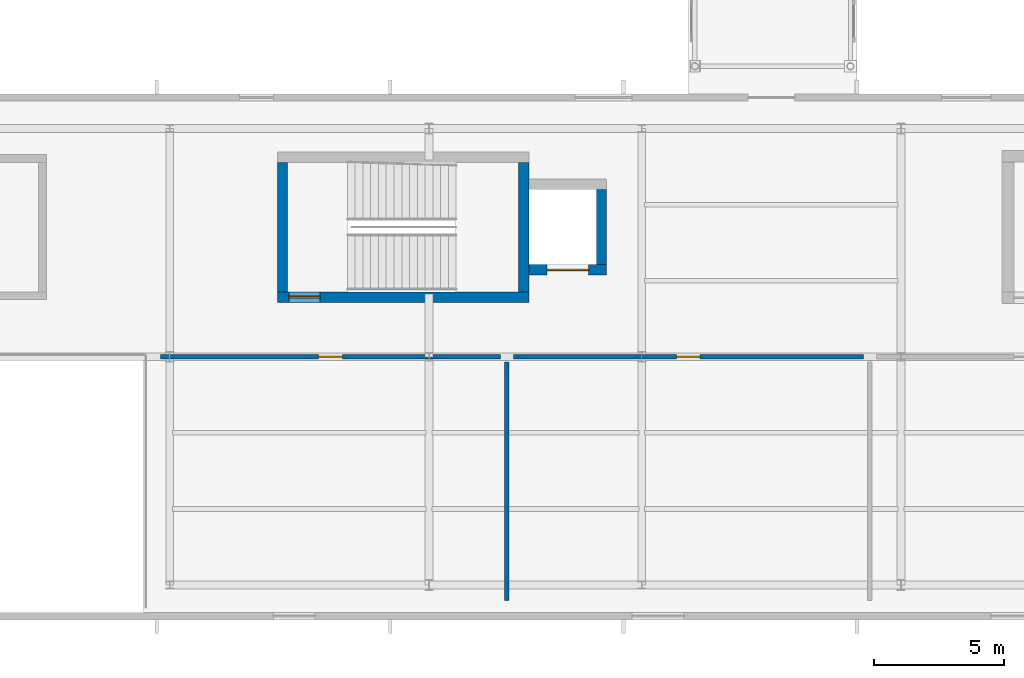
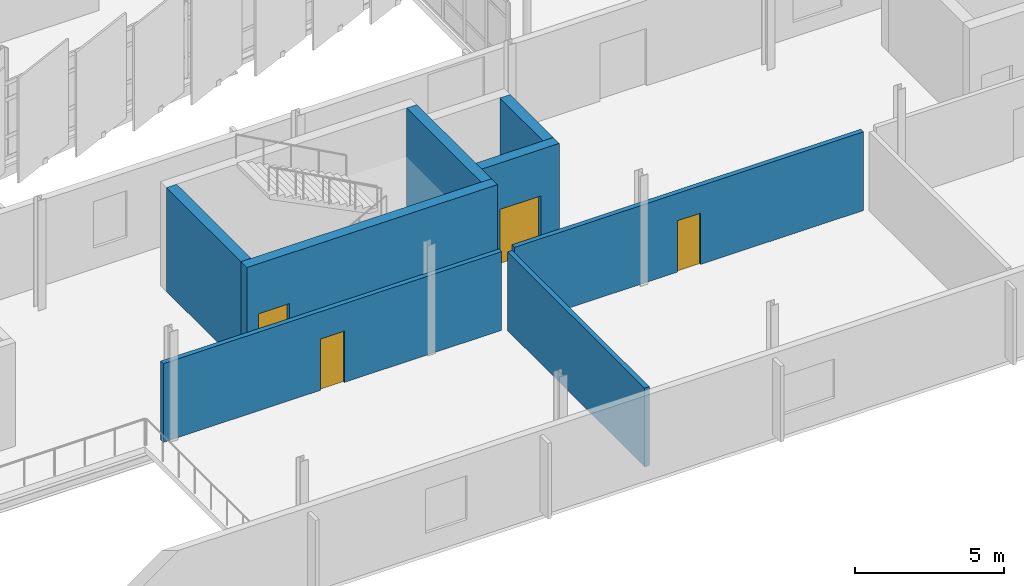
# One storey, part 108 of 134: 8 walls, 4 doors, 4 openings.
"""IFC4 building model written with IfcOpenShell, lengths in metres."""

from ifc_helpers import new_model, si_unit, direction, frame, frame_2d, origin, place, context, subcontext, project, spatial, rectangle, extrude, material, layer, layer_set, type_object, element, fill, save


model = new_model("IFC4")

# Units and contexts
model_context = context("Model", 3, precision=1e-05, world=origin(), true_north=direction((0.0, 1.0)))
body_context = subcontext(model_context, "Body", "Model", "MODEL_VIEW")
ifc_project = project(units=[si_unit("LENGTHUNIT", "METRE"), si_unit("AREAUNIT", "SQUARE_METRE"), si_unit("VOLUMEUNIT", "CUBIC_METRE"), si_unit("PLANEANGLEUNIT", "RADIAN"), si_unit("MASSUNIT", "GRAM", prefix="KILO")], contexts=[model_context])

# Site, building, storey
site_placement = place(None, origin())
site = spatial("IfcSite", under=ifc_project, at=site_placement, CompositionType="ELEMENT")
building_placement = place(site_placement, origin())
building = spatial("IfcBuilding", under=site, at=building_placement, Name="Sohan Crest Arena", CompositionType="ELEMENT")
storey_placement = place(building_placement, frame((0.0, 0.0, 4.5)))
storey = spatial("IfcBuildingStorey", under=building, at=storey_placement, Name="L01", CompositionType="ELEMENT", Elevation=4.5)

# Wall, opening, door
ifc_material_1 = material(Name="Back-of-house masonry room partition", Category="masonry")
ifc_layer_1 = layer(ifc_material_1, 0.179931640625, Name="Back-of-house masonry room partition")
ifc_layer_set_1 = layer_set([ifc_layer_1], Name="Back-of-house masonry room partition")
wall_type_1 = type_object("IfcWallType", Name="WAL-PW05", PredefinedType="PARTITIONING", material=ifc_layer_set_1)
wall_1_placement = place(storey_placement, frame((114.64990234375, 16.0, 0.0), z_axis=(0.0, 0.0, 1.0), x_axis=(1.0, 0.0, 0.0)))
wall_1 = element("IfcWall", 1, at=wall_1_placement, inside=storey, type_object=wall_type_1, Name="Interior partition wall PW-0914", PredefinedType="PARTITIONING", context=body_context, shape_type="SweptSolid", body=[
    extrude(rectangle(XDim=13.10009765625, YDim=0.179931640625, at=frame_2d((6.550048828125, 0.0))), origin(), (0.0, 0.0, 1.0), 3.219970703125),
])
opening_1_placement = place(wall_1_placement, frame((6.090087890625, 0.0, 0.0)))
opening_1 = element("IfcOpeningElement", 2, at=opening_1_placement, cuts=wall_1, Name="Opening V5D-0274", PredefinedType="OPENING", context=body_context, shape_type="SweptSolid", body=[
    extrude(rectangle(XDim=0.919921875, YDim=2.10009765625, at=frame_2d((0.4599609375, 1.050048828125))), frame((0.0, 0.099853515625, 0.0), z_axis=(0.0, -1.0, 0.0), x_axis=(1.0, 0.0, 0.0)), (0.0, 0.0, 1.0), 0.199951171875),
])
ifc_material_2 = material(Name="Standard room and changing room door", Category="wood")
door_type_1 = type_object("IfcDoorType", Name="DR-ID05", OperationType="NOTDEFINED", PredefinedType="DOOR", material=ifc_material_2)
door_1_placement = place(opening_1_placement, origin())
door_1 = element("IfcDoor", 3, at=door_1_placement, inside=storey, type_object=door_type_1, Name="Officials Changing Suite door V5D-0274", OperationType="SINGLE_SWING_LEFT", OverallHeight=2.10009765625, OverallWidth=0.919921875, PredefinedType="DOOR", context=body_context, shape_type="SweptSolid", body=[
    extrude(rectangle(XDim=0.919921875, YDim=2.10009765625, at=frame_2d((0.4599609375, 1.050048828125))), frame((0.0, 0.02490234375, 0.0), z_axis=(0.0, -1.0, 0.0), x_axis=(1.0, 0.0, 0.0)), (0.0, 0.0, 1.0), 0.050048828125),
])
fill(opening_1, door_1)

# Wall
wall_2_placement = place(storey_placement, frame((128.0, 6.60009765625, 0.0), z_axis=(0.0, 0.0, 1.0), x_axis=(0.0, 1.0, 0.0)))
element("IfcWall", 4, at=wall_2_placement, inside=storey, type_object=wall_type_1, Name="Interior partition wall PW-0915", PredefinedType="PARTITIONING", context=body_context, shape_type="SweptSolid", body=[
    extrude(rectangle(XDim=9.199951171875, YDim=0.179931640625, at=frame_2d((4.60009765625, 0.0))), origin(), (0.0, 0.0, 1.0), 3.219970703125),
])

# Wall, opening, door
wall_3_placement = place(storey_placement, frame((128.25, 16.0, 0.0), z_axis=(0.0, 0.0, 1.0), x_axis=(1.0, 0.0, 0.0)))
wall_3 = element("IfcWall", 5, at=wall_3_placement, inside=storey, type_object=wall_type_1, Name="Interior partition wall PW-0916", PredefinedType="PARTITIONING", context=body_context, shape_type="SweptSolid", body=[
    extrude(rectangle(XDim=13.5, YDim=0.179931640625, at=frame_2d((6.75, 0.0))), origin(), (0.0, 0.0, 1.0), 3.219970703125),
])
opening_2_placement = place(wall_3_placement, frame((6.300048828125, 0.0, 0.0)))
opening_2 = element("IfcOpeningElement", 6, at=opening_2_placement, cuts=wall_3, Name="Opening V5D-0275", PredefinedType="OPENING", context=body_context, shape_type="SweptSolid", body=[
    extrude(rectangle(XDim=0.89990234375, YDim=2.10009765625, at=frame_2d((0.449951171875, 1.050048828125))), frame((0.0, 0.099853515625, 0.0), z_axis=(0.0, -1.0, 0.0), x_axis=(1.0, 0.0, 0.0)), (0.0, 0.0, 1.0), 0.199951171875),
])
ifc_material_3 = material(Name="En-suite shower and toilet room door", Category="wood")
door_type_2 = type_object("IfcDoorType", Name="DR-ID06", OperationType="NOTDEFINED", PredefinedType="DOOR", material=ifc_material_3)
door_2_placement = place(opening_2_placement, origin())
door_2 = element("IfcDoor", 7, at=door_2_placement, inside=storey, type_object=door_type_2, Name="Media Interview Mixed Zone door V5D-0275", OperationType="SINGLE_SWING_RIGHT", OverallHeight=2.10009765625, OverallWidth=0.89990234375, PredefinedType="DOOR", context=body_context, shape_type="SweptSolid", body=[
    extrude(rectangle(XDim=0.89990234375, YDim=2.10009765625, at=frame_2d((0.449951171875, 1.050048828125))), frame((0.0, 0.02490234375, 0.0), z_axis=(0.0, -1.0, 0.0), x_axis=(1.0, 0.0, 0.0)), (0.0, 0.0, 1.0), 0.050048828125),
])
fill(opening_2, door_2)

# Walls
ifc_material_4 = material(Name="Concrete C40/50", Category="concrete")
ifc_layer_2 = layer(ifc_material_4, 0.39990234375, Name="Concrete C40/50")
ifc_layer_set_2 = layer_set([ifc_layer_2], Name="Concrete C40/50")
wall_type_2 = type_object("IfcWallType", Name="WAL-SW03", PredefinedType="SHEAR", material=ifc_layer_set_2)
for number, where, z_axis, x_axis, name in (
    (8, (119.35009765625, 18.5, 0.0), (0.0, 0.0, 1.0), (0.0, 1.0, 0.0), "Core shear wall SW-0705"),
    (9, (128.64990234375, 18.5, 0.0), (0.0, 0.0, 1.0), (0.0, 1.0, 0.0), "Core shear wall SW-0706"),
):
    element("IfcWall", number, at=place(storey_placement, frame(where, z_axis=z_axis, x_axis=x_axis)), inside=storey, type_object=wall_type_2, Name=name, PredefinedType="SHEAR", context=body_context, shape_type="SweptSolid", body=[
        extrude(rectangle(XDim=5.0, YDim=0.39990234375, at=frame_2d((2.5, 0.0))), origin(), (0.0, 0.0, 1.0), 4.25),
    ])

# Wall, opening, door
wall_4_placement = place(storey_placement, frame((119.14990234375, 18.300048828125, 0.0), z_axis=(0.0, 0.0, 1.0), x_axis=(1.0, 0.0, 0.0)))
wall_4 = element("IfcWall", 10, at=wall_4_placement, inside=storey, type_object=wall_type_2, Name="Core shear wall SW-0707", PredefinedType="SHEAR", context=body_context, shape_type="SweptSolid", body=[
    extrude(rectangle(XDim=9.7001953125, YDim=0.39990234375, at=frame_2d((4.85009765625, 0.0))), origin(), (0.0, 0.0, 1.0), 4.25),
])
opening_3_placement = place(wall_4_placement, frame((0.449951171875, 0.0, 0.0)))
opening_3 = element("IfcOpeningElement", 11, at=opening_3_placement, cuts=wall_4, Name="Opening SD-0191", PredefinedType="OPENING", context=body_context, shape_type="SweptSolid", body=[
    extrude(rectangle(XDim=1.199951171875, YDim=2.199951171875, at=frame_2d((0.60009765625, 1.10009765625))), frame((0.0, 0.2099609375, 0.0), z_axis=(0.0, -1.0, 0.0), x_axis=(1.0, 0.0, 0.0)), (0.0, 0.0, 1.0), 0.419921875),
])
ifc_material_5 = material(Name="Fire-rated steel stair and lobby door", Category="steel")
door_type_3 = type_object("IfcDoorType", Name="DR-FD04", OperationType="NOTDEFINED", PredefinedType="DOOR", material=ifc_material_5)
door_3_placement = place(opening_3_placement, frame((1.199951171875, 0.0, 0.0), z_axis=(0.0, 0.0, 1.0), x_axis=(-1.0, 0.0, 0.0)))
door_3 = element("IfcDoor", 12, at=door_3_placement, inside=storey, type_object=door_type_3, Name="Protected stair door SD-0191", OperationType="SINGLE_SWING_LEFT", OverallHeight=2.199951171875, OverallWidth=1.199951171875, PredefinedType="DOOR", context=body_context, shape_type="SweptSolid", body=[
    extrude(rectangle(XDim=1.199951171875, YDim=2.199951171875, at=frame_2d((0.60009765625, 1.10009765625))), frame((0.0, 0.02490234375, 0.0), z_axis=(0.0, -1.0, 0.0), x_axis=(1.0, 0.0, 0.0)), (0.0, 0.0, 1.0), 0.050048828125),
])
fill(opening_3, door_3)

# Wall
wall_5_placement = place(storey_placement, frame((131.64990234375, 19.550048828125, 0.0), z_axis=(0.0, 0.0, 1.0), x_axis=(0.0, 1.0, 0.0)))
element("IfcWall", 13, at=wall_5_placement, inside=storey, type_object=wall_type_2, Name="Core shear wall SW-0709", PredefinedType="SHEAR", context=body_context, shape_type="SweptSolid", body=[
    extrude(rectangle(XDim=2.89990234375, YDim=0.39990234375, at=frame_2d((1.449951171875, 0.0))), origin(), (0.0, 0.0, 1.0), 4.25),
])

# Wall, opening, door
wall_6_placement = place(storey_placement, frame((128.85009765625, 19.35009765625, 0.0), z_axis=(0.0, 0.0, 1.0), x_axis=(1.0, 0.0, 0.0)))
wall_6 = element("IfcWall", 14, at=wall_6_placement, inside=storey, type_object=wall_type_2, Name="Core shear wall SW-0710", PredefinedType="SHEAR", context=body_context, shape_type="SweptSolid", body=[
    extrude(rectangle(XDim=3.0, YDim=0.39990234375, at=frame_2d((1.5, 0.0))), origin(), (0.0, 0.0, 1.0), 4.25),
])
opening_4_placement = place(wall_6_placement, frame((0.699951171875, 0.0, 0.0)))
opening_4 = element("IfcOpeningElement", 15, at=opening_4_placement, cuts=wall_6, Name="Opening LD-GF02-L01", PredefinedType="OPENING", context=body_context, shape_type="SweptSolid", body=[
    extrude(rectangle(XDim=1.60009765625, YDim=2.35009765625, at=frame_2d((0.800048828125, 1.175048828125))), frame((0.0, 0.2099609375, 0.0), z_axis=(0.0, -1.0, 0.0), x_axis=(1.0, 0.0, 0.0)), (0.0, 0.0, 1.0), 0.419921875),
])
ifc_material_6 = material(Name="Stainless steel goods lift landing door", Category="steel")
door_type_4 = type_object("IfcDoorType", Name="DR-LD03", OperationType="SLIDING_TO_LEFT", PredefinedType="DOOR", material=ifc_material_6)
door_4_placement = place(opening_4_placement, origin())
door_4 = element("IfcDoor", 16, at=door_4_placement, inside=storey, type_object=door_type_4, Name="Sliding lift landing door LD-GF02-L01", OperationType="SLIDING_TO_LEFT", OverallHeight=2.35009765625, OverallWidth=1.60009765625, PredefinedType="DOOR", context=body_context, shape_type="SweptSolid", body=[
    extrude(rectangle(XDim=1.60009765625, YDim=2.35009765625, at=frame_2d((0.800048828125, 1.175048828125))), frame((0.0, 0.02490234375, 0.0), z_axis=(0.0, -1.0, 0.0), x_axis=(1.0, 0.0, 0.0)), (0.0, 0.0, 1.0), 0.050048828125),
])
fill(opening_4, door_4)

save(model, "model.ifc")
